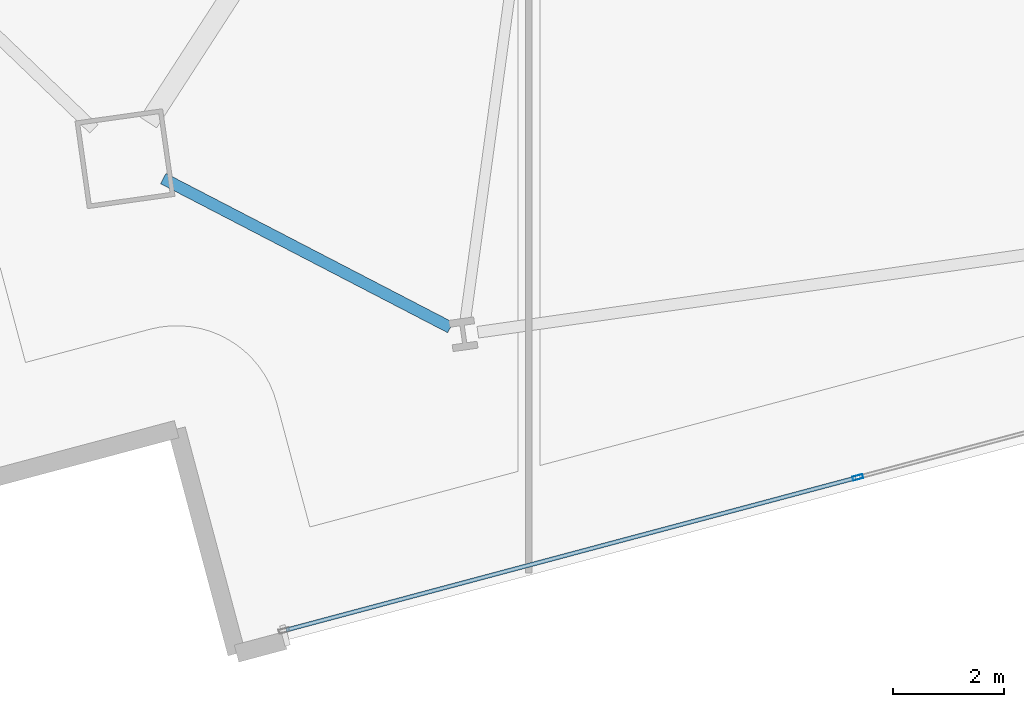
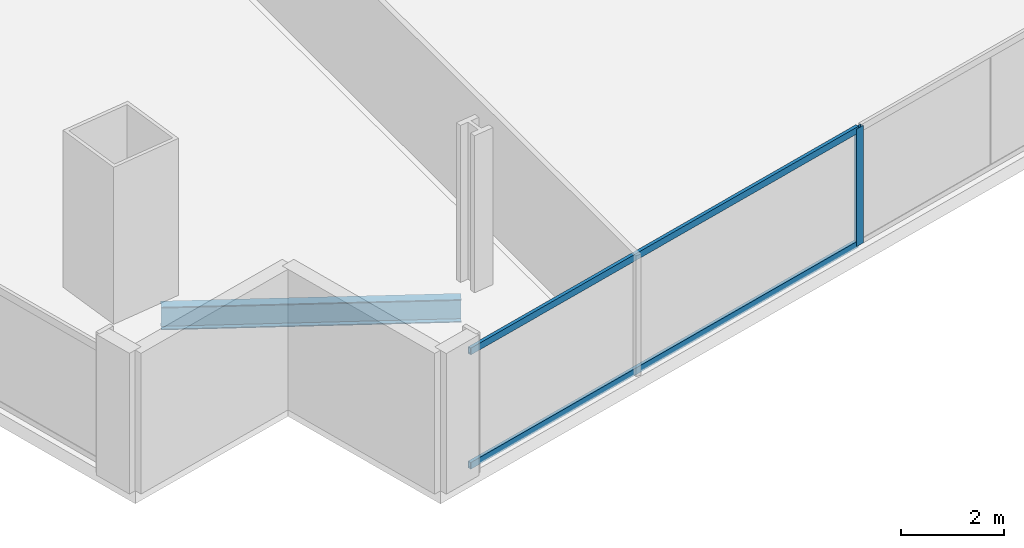
# One storey, part 3 of 33: 3 members, 1 beam, 1 element without a shape of its own.
"""IFC4 building model written with IfcOpenShell, lengths in metres."""

from ifc_helpers import new_model, si_unit, direction, frame, origin, origin_2d, place, context, subcontext, project, spatial, hollow_rectangle, i_section, extrude, material, material_profile, profile_set, type_object, element, aggregate, save


model = new_model("IFC4")

# Units and contexts
model_context = context("Model", 3, precision=1e-05, world=origin(), true_north=direction((0.0, 1.0)))
body_context = subcontext(model_context, "Body", "Model", "MODEL_VIEW")
ifc_project = project(units=[si_unit("LENGTHUNIT", "METRE"), si_unit("AREAUNIT", "SQUARE_METRE"), si_unit("VOLUMEUNIT", "CUBIC_METRE"), si_unit("PLANEANGLEUNIT", "RADIAN"), si_unit("MASSUNIT", "GRAM", prefix="KILO")], contexts=[model_context])

# Site, building, storey
site_placement = place(None, origin())
site = spatial("IfcSite", under=ifc_project, at=site_placement, CompositionType="ELEMENT")
building_placement = place(site_placement, origin())
building = spatial("IfcBuilding", under=site, at=building_placement, Name="Haldenkirk Collegiate Tower", CompositionType="ELEMENT")
storey_placement = place(building_placement, frame((0.0, 0.0, 77.699951171875)))
storey = spatial("IfcBuildingStorey", under=building, at=storey_placement, Name="L18", CompositionType="ELEMENT", Elevation=77.699951171875)

# Beam
ifc_material_1 = material(Name="Steel ASTM A992 Grade 50", Category="steel")
ifc_material_profile_1 = material_profile(ifc_material_1, i_section(OverallWidth=0.2119140625, OverallDepth=0.5439453125, WebThickness=0.01318359375, FlangeThickness=0.021240234375, at=origin_2d()), Name="W21X83")
ifc_profile_set_1 = profile_set([ifc_material_profile_1], Name="Steel ASTM A992 Grade 50")
beam_type = type_object("IfcBeamType", Name="BM-SPANDREL-W21X83", PredefinedType="SPANDREL", material=ifc_profile_set_1)
beam_placement = place(storey_placement, frame((19.388671875, 4.8125, -0.58203125), z_axis=(0.887640153988, -0.460537682528, 0.0), x_axis=(0.460537682528, 0.887640153988, 0.0)))
element("IfcBeam", 1, at=beam_placement, inside=storey, type_object=beam_type, Name="L18 perimeter spandrel beam 01", PredefinedType="SPANDREL", context=body_context, shape_type="SweptSolid", body=[
    extrude(i_section(OverallWidth=0.2119140625, OverallDepth=0.5439453125, WebThickness=0.01318359375, FlangeThickness=0.021240234375, at=origin_2d()), origin(), (0.0, 0.0, 1.0), 5.848876953125),
])

# Curtain wall, members
ifc_material_2 = material(Name="Anodised architectural bronze aluminium", Category="aluminium")
curtain_wall_type = type_object("IfcCurtainWallType", Name="CW-SYS2-CONCAVE", PredefinedType="USERDEFINED", material=ifc_material_2)
curtain_wall_placement = place(storey_placement, origin())
curtain_wall = element("IfcCurtainWall", 2, at=curtain_wall_placement, inside=storey, type_object=curtain_wall_type, Name="L18 South concave recessed bronze-anodised curtain wall", ObjectType="UNITISED CURTAIN WALL", PredefinedType="USERDEFINED")
ifc_material_profile_2 = material_profile(ifc_material_2, hollow_rectangle(XDim=0.074951171875, YDim=0.18994140625, WallThickness=0.0048828125, at=origin_2d()), Name="CW-MUL-02")
ifc_profile_set_2 = profile_set([ifc_material_profile_2], Name="Anodised architectural bronze aluminium")
member_type_1 = type_object("IfcMemberType", Name="CW-MUL-02", PredefinedType="MULLION", material=ifc_profile_set_2)
member_1_placement = place(storey_placement, frame((31.947509765625, -0.590576171875, 0.0), z_axis=(0.0, 0.0, 1.0), x_axis=(0.257976294663, -0.966151246644, 0.0)))
member_1 = element("IfcMember", 3, at=member_1_placement, type_object=member_type_1, Name="CW-02 mullion 4", PredefinedType="MULLION", context=body_context, shape_type="SweptSolid", body=[
    extrude(hollow_rectangle(XDim=0.074951171875, YDim=0.18994140625, WallThickness=0.0048828125, at=origin_2d()), origin(), (0.0, 0.0, 1.0), 2.791015625),
])
ifc_material_profile_3 = material_profile(ifc_material_2, hollow_rectangle(XDim=0.074951171875, YDim=0.159912109375, WallThickness=0.0048828125, at=origin_2d()), Name="CW-TRN-02")
ifc_profile_set_3 = profile_set([ifc_material_profile_3], Name="Anodised architectural bronze aluminium")
member_type_2 = type_object("IfcMemberType", Name="CW-TRN-02", PredefinedType="USERDEFINED", material=ifc_profile_set_3)
member_2_placement = place(storey_placement, frame((31.911376953125, -0.60009765625, 0.03759765625), z_axis=(-0.966149378, -0.257983292853, 0.0), x_axis=(0.257983292853, -0.966149378, 0.0)))
member_2 = element("IfcMember", 4, at=member_2_placement, type_object=member_type_2, Name="CW-02 transom 4.1", ObjectType="TRANSOM", PredefinedType="USERDEFINED", context=body_context, shape_type="SweptSolid", body=[
    extrude(hollow_rectangle(XDim=0.074951171875, YDim=0.159912109375, WallThickness=0.0048828125, at=origin_2d()), origin(), (0.0, 0.0, 1.0), 10.662353515625),
])
member_3_placement = place(storey_placement, frame((31.911376953125, -0.60009765625, 2.753662109375), z_axis=(-0.966149378, -0.257983292853, 0.0), x_axis=(0.257983292853, -0.966149378, 0.0)))
member_3 = element("IfcMember", 5, at=member_3_placement, type_object=member_type_2, Name="CW-02 transom 4.2", ObjectType="TRANSOM", PredefinedType="USERDEFINED", context=body_context, shape_type="SweptSolid", body=[
    extrude(hollow_rectangle(XDim=0.074951171875, YDim=0.159912109375, WallThickness=0.0048828125, at=origin_2d()), origin(), (0.0, 0.0, 1.0), 10.662353515625),
])
aggregate(curtain_wall, [member_1, member_2, member_3])

save(model, "model.ifc")
